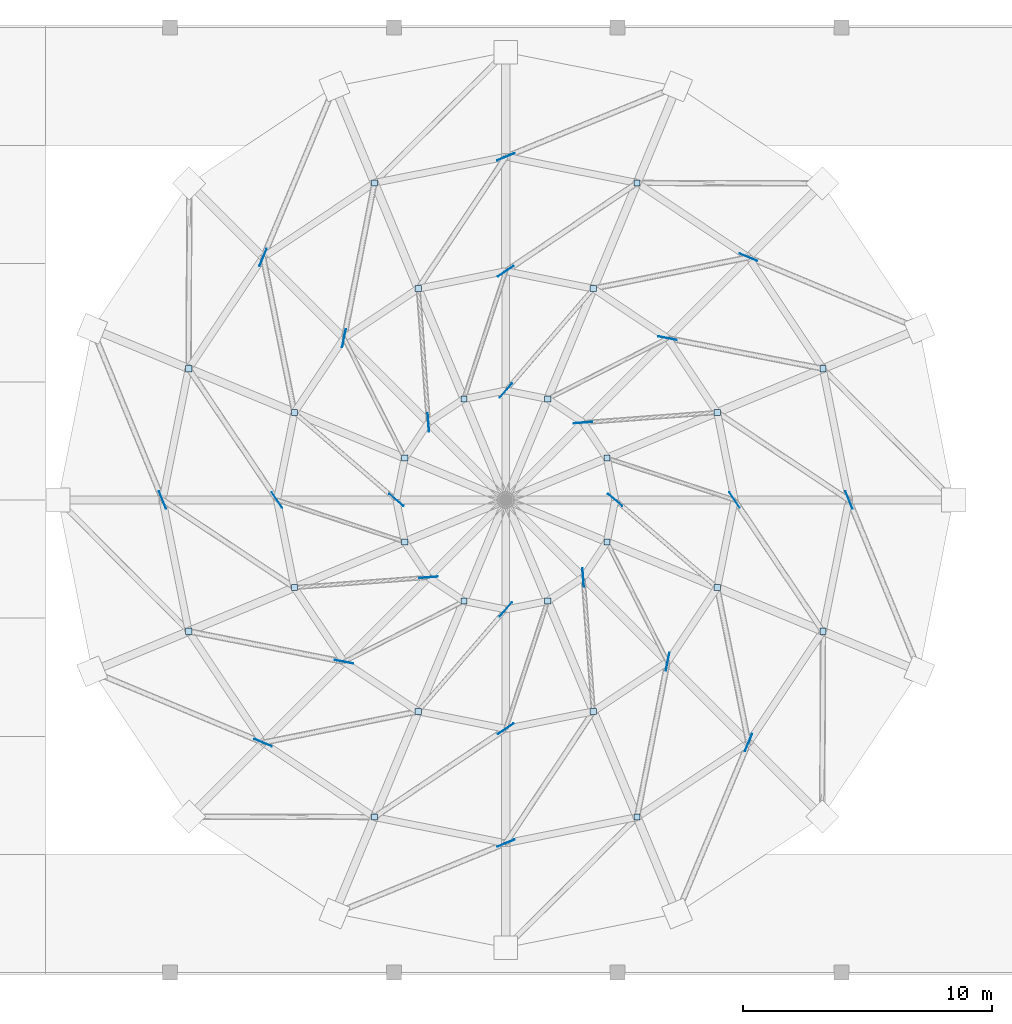
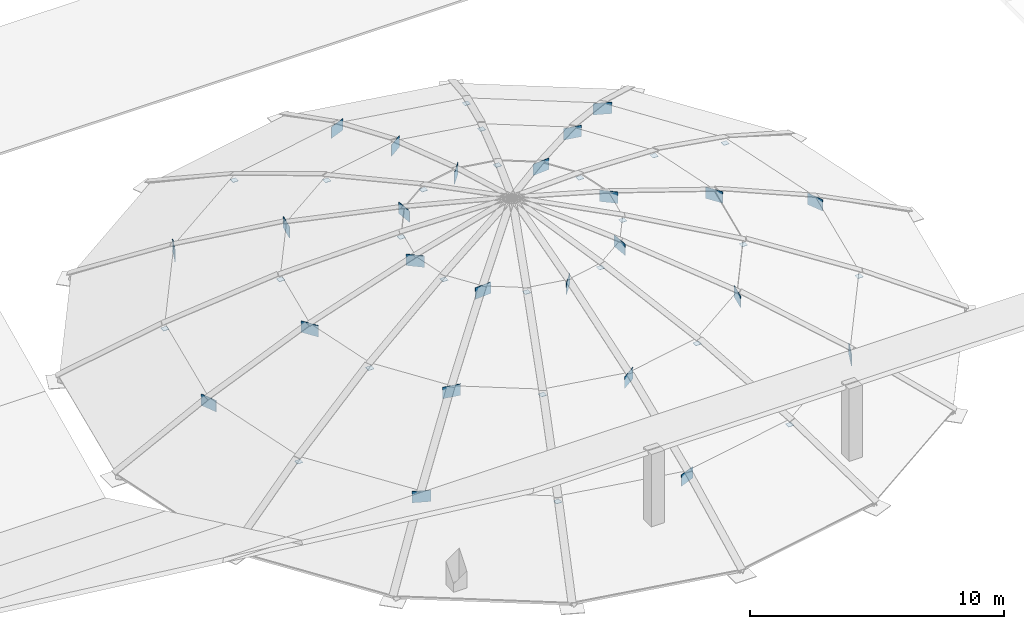
# One storey, part 6 of 7: 48 plates.
"""IFC4 building model written with IfcOpenShell, lengths in metres."""

import ifcopenshell
import ifcopenshell.guid

model = None  # the IFC model being written
_history = None  # IfcOwnerHistory: only IFC2X3 demands one
_inside = {}  # id of a spatial element -> (the spatial element, [elements in it])
_under = {}  # id of a project, library or spatial element -> (it, [spatial elements below it])
_declared = {}  # id of a project -> (the project, [libraries it declares])
_typed = {}  # id of a type object -> (the type object, [elements of that type])
_made_of = {}  # id of a material, layer set ... -> (it, [elements and type objects made of it])


def new_model(schema):
    """Start an empty IFC model of exactly this schema.

    Asked for "IFC4X3", IfcOpenShell would pick the latest addendum, in which some entities
    have other attributes; the version numbers below select the first issue.
    IFC2X3 requires an IfcOwnerHistory on every rooted entity: one is made here for all.
    """
    global model, _history
    if schema == "IFC4X3":
        model = ifcopenshell.file(schema_version=(4, 3, 0, 0))
    else:
        model = ifcopenshell.file(schema=schema)
    _inside.clear()
    _under.clear()
    _declared.clear()
    _typed.clear()
    _made_of.clear()
    _history = None
    if model.schema == "IFC2X3":
        org = make("IfcOrganization", Name="unknown")
        user = make(
            "IfcPersonAndOrganization",
            ThePerson=make("IfcPerson", FamilyName="unknown"),
            TheOrganization=org,
        )
        app = make(
            "IfcApplication",
            ApplicationDeveloper=org,
            Version="unknown",
            ApplicationFullName="unknown",
            ApplicationIdentifier="unknown",
        )
        _history = make(
            "IfcOwnerHistory",
            OwningUser=user,
            OwningApplication=app,
            ChangeAction="ADDED",
            CreationDate=0,
        )
    return model


def make(cls, **values):
    """One entity of the class cls with the attributes given. An attribute that is None is left unset."""
    return model.create_entity(
        cls, **{name: value for name, value in values.items() if value is not None}
    )


def rooted(cls, **values):
    """An entity with a GlobalId (a new one), such as an element, a storey or a relation."""
    return make(cls, GlobalId=ifcopenshell.guid.new(), OwnerHistory=_history, **values)


def si_unit(unit_type, name, prefix=None):
    """IfcSIUnit, for example si_unit("LENGTHUNIT", "METRE", prefix="MILLI")."""
    return make("IfcSIUnit", UnitType=unit_type, Prefix=prefix, Name=name)


def assignment(units):
    """IfcUnitAssignment: the units of a project."""
    return None if units is None else make("IfcUnitAssignment", Units=units)


def point(xyz):
    """IfcCartesianPoint."""
    return None if xyz is None else make("IfcCartesianPoint", Coordinates=xyz)


def direction(xyz):
    """IfcDirection."""
    return None if xyz is None else make("IfcDirection", DirectionRatios=xyz)


def frame(location, z_axis=None, x_axis=None):
    """IfcAxis2Placement3D, a coordinate frame: its origin and axes. An axis left out is left unset."""
    return make(
        "IfcAxis2Placement3D",
        Location=point(location),
        Axis=direction(z_axis),
        RefDirection=direction(x_axis),
    )


def frame_2d(location, x_axis=None):
    """IfcAxis2Placement2D, a coordinate frame in the plane: its origin and x axis."""
    return make(
        "IfcAxis2Placement2D", Location=point(location), RefDirection=direction(x_axis)
    )


def origin():
    """The frame at (0, 0, 0) with its axes left unset."""
    return frame((0.0, 0.0, 0.0))


def origin_2d():
    """The frame at (0, 0) in the plane with its x axis left unset."""
    return frame_2d((0.0, 0.0))


def place(relative_to, where):
    """IfcLocalPlacement: puts the frame where relative to a parent placement (None: the world)."""
    return make(
        "IfcLocalPlacement", PlacementRelTo=relative_to, RelativePlacement=where
    )


def context(
    kind, dimensions, precision=None, world=None, true_north=None, identifier=None
):
    """IfcGeometricRepresentationContext, for example the 3D "Model" context."""
    return make(
        "IfcGeometricRepresentationContext",
        ContextIdentifier=identifier,
        ContextType=kind,
        CoordinateSpaceDimension=dimensions,
        Precision=precision,
        WorldCoordinateSystem=world,
        TrueNorth=true_north,
    )


def subcontext(parent, identifier, kind, view, scale=None):
    """IfcGeometricRepresentationSubContext, for example "Body" below "Model"."""
    return make(
        "IfcGeometricRepresentationSubContext",
        ContextIdentifier=identifier,
        ContextType=kind,
        ParentContext=parent,
        TargetScale=scale,
        TargetView=view,
    )


def project(units=None, contexts=None):
    """IfcProject with its units and contexts."""
    return rooted(
        "IfcProject",
        Name="project",
        RepresentationContexts=contexts,
        UnitsInContext=assignment(units),
    )


def spatial(cls, under=None, at=None, **own):
    """A site, building, storey or space (cls), placed at a placement, below another one or the project."""
    s = rooted(cls, ObjectPlacement=at, **own)
    if under is not None:
        _under.setdefault(under.id(), (under, []))[1].append(s)
    return s


def profile(cls, at=None, kind="AREA", **sizes):
    """A parametric profile (cls). Its sizes go by their IFC names, for example OverallWidth=200.0."""
    return make(cls, ProfileType=kind, Position=at, **sizes)


def rectangle(**sizes):
    """IfcRectangleProfileDef."""
    return profile("IfcRectangleProfileDef", **sizes)


def extrude(swept, where, along, depth):
    """IfcExtrudedAreaSolid: the profile swept, set in the frame where, extruded along a direction by depth."""
    return make(
        "IfcExtrudedAreaSolid",
        SweptArea=swept,
        Position=where,
        ExtrudedDirection=direction(along),
        Depth=depth,
    )


def shape(context_of_items, identifier, shape_type, items):
    """IfcShapeRepresentation: the items that make up one representation, for example the "Body"."""
    return make(
        "IfcShapeRepresentation",
        ContextOfItems=context_of_items,
        RepresentationIdentifier=identifier,
        RepresentationType=shape_type,
        Items=items,
    )


def material(Name=None, Category=None):
    """IfcMaterial."""
    return make("IfcMaterial", Name=Name, Category=Category)


def layer(
    of_material, thickness, ventilated=None, Name=None, Category=None, Priority=None
):
    """IfcMaterialLayer: one layer of a wall or slab, of a material (None: an air gap)."""
    return make(
        "IfcMaterialLayer",
        Material=of_material,
        LayerThickness=thickness,
        IsVentilated=ventilated,
        Name=Name,
        Category=Category,
        Priority=Priority,
    )


def layer_set(layers, Name=None):
    """IfcMaterialLayerSet."""
    return make("IfcMaterialLayerSet", MaterialLayers=layers, LayerSetName=Name)


def made_of(thing, what):
    """Note that an element or type object is made of a material, layer set ...; save() writes the relation."""
    if what is not None:
        _made_of.setdefault(what.id(), (what, []))[1].append(thing)
    return thing


def type_object(cls, material=None, **own):
    """A type object (cls), such as IfcWallType, which elements share."""
    return made_of(rooted(cls, **own), material)


def element(
    cls,
    number,
    at=None,
    inside=None,
    cuts=None,
    type_object=None,
    material=None,
    context=None,
    identifier="Body",
    shape_type=None,
    held_by="IfcProductDefinitionShape",
    body=None,
    shapes=None,
    **own,
):
    """One element of the class cls, such as IfcWall. Its Tag is "e" and its number.

    at: its placement. inside: the storey or other place that contains it. cuts: it is an
    opening in that element (IfcRelVoidsElement). A single representation is given by context,
    identifier, shape_type and body (its items); several are given by shapes. held_by: the class
    of the entity that holds the representations. save() writes the other relations.
    """
    e = rooted(cls, Tag="e%d" % number, ObjectPlacement=at, **own)
    if body is not None:
        shapes = [shape(context, identifier, shape_type, body)]
    if shapes is not None:
        e.Representation = make(held_by, Representations=shapes)
    if inside is not None:
        _inside.setdefault(inside.id(), (inside, []))[1].append(e)
    if cuts is not None:
        rooted(
            "IfcRelVoidsElement", RelatingBuildingElement=cuts, RelatedOpeningElement=e
        )
    if type_object is not None:
        _typed.setdefault(type_object.id(), (type_object, []))[1].append(e)
    return made_of(e, material)


def aggregate(whole, parts):
    """IfcRelAggregates: a whole, such as a stair, and the parts it consists of."""
    return rooted("IfcRelAggregates", RelatingObject=whole, RelatedObjects=parts)


def save(model, path):
    """Write the relations noted so far, then the file.

    IfcRelAggregates (storeys below a building ...), IfcRelContainedInSpatialStructure (elements
    in a storey), IfcRelDefinesByType, IfcRelAssociatesMaterial and IfcRelDeclares: one each for
    every whole, place, type object, material and project.
    """
    for whole, parts in _under.values():
        aggregate(whole, parts)
    for where, things in _inside.values():
        rooted(
            "IfcRelContainedInSpatialStructure",
            RelatedElements=things,
            RelatingStructure=where,
        )
    for kind, things in _typed.values():
        rooted("IfcRelDefinesByType", RelatedObjects=things, RelatingType=kind)
    for what, things in _made_of.values():
        rooted("IfcRelAssociatesMaterial", RelatedObjects=things, RelatingMaterial=what)
    for by, libraries in _declared.values():
        rooted("IfcRelDeclares", RelatingContext=by, RelatedDefinitions=libraries)
    model.write(path)


model = new_model("IFC4")

# Units and contexts
model_context = context("Model", 3, precision=1e-05, world=origin(), true_north=direction((0.0, 1.0)))
body_context = subcontext(model_context, "Body", "Model", "MODEL_VIEW")
ifc_project = project(units=[si_unit("LENGTHUNIT", "METRE"), si_unit("AREAUNIT", "SQUARE_METRE"), si_unit("VOLUMEUNIT", "CUBIC_METRE"), si_unit("PLANEANGLEUNIT", "RADIAN"), si_unit("MASSUNIT", "GRAM", prefix="KILO")], contexts=[model_context])

# Site, building, storey
site_placement = place(None, origin())
site = spatial("IfcSite", under=ifc_project, at=site_placement, CompositionType="ELEMENT")
building_placement = place(site_placement, origin())
building = spatial("IfcBuilding", under=site, at=building_placement, Name="Miravela Opera House", CompositionType="ELEMENT")
storey_placement = place(building_placement, frame((0.0, 0.0, 30.760009765625)))
storey = spatial("IfcBuildingStorey", under=building, at=storey_placement, Name="RF", CompositionType="ELEMENT", Elevation=30.760009765625)

# Plates
ifc_material = material(Name="Structural steel ASTM A572 Gr. 50", Category="steel")
ifc_layer_1 = layer(ifc_material, 0.01611328125)
ifc_layer_set_1 = layer_set([ifc_layer_1])
plate_type_1 = type_object("IfcPlateType", Name="STR-PL-CAP-250X250X16", PredefinedType="SHEET", material=ifc_layer_set_1)
for number, where, z_axis, x_axis, name in (
    (1, (89.24951171875, 61.281005859375, -2.588134765625), (0.0, 0.0, 1.0), (1.0, 0.0, 0.0), "HSS Welded End Cap Plate 046"),
    (2, (81.781005859375, 68.74951171875, -2.588134765625), (0.0, 0.0, 1.0), (1.0, 0.0, 0.0), "HSS Welded End Cap Plate 047"),
    (3, (71.218994140625, 68.74951171875, -2.588134765625), (0.0, 0.0, 1.0), (1.0, 0.0, 0.0), "HSS Welded End Cap Plate 048"),
    (4, (63.75048828125, 61.281005859375, -2.588134765625), (0.0, 0.0, 1.0), (1.0, 0.0, 0.0), "HSS Welded End Cap Plate 049"),
    (5, (63.75048828125, 50.718994140625, -2.588134765625), (0.0, 0.0, 1.0), (1.0, 0.0, 0.0), "HSS Welded End Cap Plate 050"),
    (6, (71.218994140625, 43.25048828125, -2.588134765625), (0.0, 0.0, 1.0), (1.0, 0.0, 0.0), "HSS Welded End Cap Plate 051"),
    (7, (81.781005859375, 43.25048828125, -2.588134765625), (0.0, 0.0, 1.0), (1.0, 0.0, 0.0), "HSS Welded End Cap Plate 052"),
    (8, (89.24951171875, 50.718994140625, -2.588134765625), (0.0, 0.0, 1.0), (1.0, 0.0, 0.0), "HSS Welded End Cap Plate 053"),
    (9, (84.999755859375, 59.520751953125, -0.63818359375), (0.0, 0.0, 1.0), (1.0, 0.0, 0.0), "HSS Welded End Cap Plate 054"),
    (10, (80.020751953125, 64.499755859375, -0.63818359375), (0.0, 0.0, 1.0), (1.0, 0.0, 0.0), "HSS Welded End Cap Plate 055"),
    (11, (72.979248046875, 64.499755859375, -0.63818359375), (0.0, 0.0, 1.0), (1.0, 0.0, 0.0), "HSS Welded End Cap Plate 056"),
    (12, (68.000244140625, 59.520751953125, -0.63818359375), (0.0, 0.0, 1.0), (1.0, 0.0, 0.0), "HSS Welded End Cap Plate 057"),
    (13, (68.000244140625, 52.479248046875, -0.63818359375), (0.0, 0.0, 1.0), (1.0, 0.0, 0.0), "HSS Welded End Cap Plate 058"),
    (14, (72.979248046875, 47.500244140625, -0.63818359375), (0.0, 0.0, 1.0), (1.0, 0.0, 0.0), "HSS Welded End Cap Plate 059"),
    (15, (80.020751953125, 47.500244140625, -0.63818359375), (0.0, 0.0, 1.0), (1.0, 0.0, 0.0), "HSS Welded End Cap Plate 060"),
    (16, (84.999755859375, 52.479248046875, -0.63818359375), (0.0, 0.0, 1.0), (1.0, 0.0, 0.0), "HSS Welded End Cap Plate 061"),
    (17, (80.565185546875, 57.683837890625, 0.9619140625), (0.0, 0.0, 1.0), (1.0, 0.0, 0.0), "HSS Welded End Cap Plate 062"),
    (18, (78.183837890625, 60.065185546875, 0.9619140625), (0.0, 0.0, 1.0), (1.0, 0.0, 0.0), "HSS Welded End Cap Plate 063"),
    (19, (74.816162109375, 60.065185546875, 0.9619140625), (0.0, 0.0, 1.0), (1.0, 0.0, 0.0), "HSS Welded End Cap Plate 064"),
    (20, (72.434814453125, 57.683837890625, 0.9619140625), (0.0, 0.0, 1.0), (1.0, 0.0, 0.0), "HSS Welded End Cap Plate 065"),
    (21, (72.434814453125, 54.316162109375, 0.9619140625), (0.0, 0.0, 1.0), (1.0, 0.0, 0.0), "HSS Welded End Cap Plate 066"),
    (22, (74.816162109375, 51.934814453125, 0.9619140625), (0.0, 0.0, 1.0), (1.0, 0.0, 0.0), "HSS Welded End Cap Plate 067"),
    (23, (78.183837890625, 51.934814453125, 0.9619140625), (0.0, 0.0, 1.0), (1.0, 0.0, 0.0), "HSS Welded End Cap Plate 068"),
    (24, (80.565185546875, 54.316162109375, 0.9619140625), (0.0, 0.0, 1.0), (1.0, 0.0, 0.0), "HSS Welded End Cap Plate 069"),
):
    element("IfcPlate", number, at=place(storey_placement, frame(where, z_axis=z_axis, x_axis=x_axis)), inside=storey, type_object=plate_type_1, Name=name, PredefinedType="SHEET", context=body_context, shape_type="SweptSolid", body=[
        extrude(rectangle(XDim=0.25, YDim=0.25, at=origin_2d()), origin(), (0.0, 0.0, 1.0), 0.01611328125),
    ])
ifc_layer_2 = layer(ifc_material, 0.02001953125)
ifc_layer_set_2 = layer_set([ifc_layer_2])
plate_type_2 = type_object("IfcPlateType", Name="STR-PL-GUS-750X550X20", PredefinedType="USERDEFINED", material=ifc_layer_set_2)
for number, where, z_axis, x_axis, name in (
    (25, (86.258056640625, 65.758056640625, -2.85498046875), (0.0, 0.0, 1.0), (-0.922740022919, 0.385422949633, 0.0), "Brace Node Gusset Plate 413"),
    (26, (76.5, 69.800048828125, -2.85498046875), (0.0, 0.0, 1.0), (0.925010908789, 0.379940546168, 0.0), "Brace Node Gusset Plate 414"),
    (27, (66.741943359375, 65.758056640625, -2.85498046875), (0.0, 0.0, 1.0), (0.385422949633, 0.922740022919, 0.0), "Brace Node Gusset Plate 415"),
    (28, (62.699951171875, 56.0, -2.85498046875), (0.0, 0.0, 1.0), (-0.379940546168, 0.925010908789, 0.0), "Brace Node Gusset Plate 416"),
    (29, (66.741943359375, 46.241943359375, -2.85498046875), (0.0, 0.0, 1.0), (-0.922740022919, 0.385422949633, 0.0), "Brace Node Gusset Plate 417"),
    (30, (76.5, 42.199951171875, -2.85498046875), (0.0, 0.0, 1.0), (0.925010908789, 0.379940546168, 0.0), "Brace Node Gusset Plate 418"),
    (31, (86.258056640625, 46.241943359375, -2.85498046875), (0.0, 0.0, 1.0), (0.385422949633, 0.922740022919, 0.0), "Brace Node Gusset Plate 419"),
    (32, (90.300048828125, 56.0, -2.85498046875), (0.0, 0.0, 1.0), (-0.379940546168, 0.925010908789, 0.0), "Brace Node Gusset Plate 420"),
    (33, (83.00537109375, 62.50537109375, -0.9052734375), (0.0, 0.0, 1.0), (-0.981326250468, 0.192350695715, 0.0), "Brace Node Gusset Plate 421"),
    (34, (76.5, 65.199951171875, -0.9052734375), (0.0, 0.0, 1.0), (0.829914927569, 0.557889964956, 0.0), "Brace Node Gusset Plate 422"),
    (35, (69.99462890625, 62.50537109375, -0.9052734375), (0.0, 0.0, 1.0), (0.192350695715, 0.981326250468, 0.0), "Brace Node Gusset Plate 423"),
    (36, (67.300048828125, 56.0, -0.9052734375), (0.0, 0.0, 1.0), (-0.557889964956, 0.829914927569, 0.0), "Brace Node Gusset Plate 424"),
    (37, (69.99462890625, 49.49462890625, -0.9052734375), (0.0, 0.0, 1.0), (-0.981326250468, 0.192350695715, 0.0), "Brace Node Gusset Plate 425"),
    (38, (76.5, 46.800048828125, -0.9052734375), (0.0, 0.0, 1.0), (0.829914927569, 0.557889964956, 0.0), "Brace Node Gusset Plate 426"),
    (39, (83.00537109375, 49.49462890625, -0.9052734375), (0.0, 0.0, 1.0), (0.192350695715, 0.981326250468, 0.0), "Brace Node Gusset Plate 427"),
    (40, (85.699951171875, 56.0, -0.9052734375), (0.0, 0.0, 1.0), (-0.557889964956, 0.829914927569, 0.0), "Brace Node Gusset Plate 428"),
    (41, (79.611328125, 59.111328125, 0.69482421875), (0.0, 0.0, 1.0), (0.997132545495, 0.075674875051, 0.0), "Brace Node Gusset Plate 429"),
    (42, (76.5, 60.39990234375, 0.69482421875), (0.0, 0.0, 1.0), (0.651436558597, 0.758703110659, 0.0), "Brace Node Gusset Plate 430"),
    (43, (73.388671875, 59.111328125, 0.69482421875), (0.0, 0.0, 1.0), (-0.075674875051, 0.997132545495, 0.0), "Brace Node Gusset Plate 431"),
    (44, (72.10009765625, 56.0, 0.69482421875), (0.0, 0.0, 1.0), (-0.758703110659, 0.651436558597, 0.0), "Brace Node Gusset Plate 432"),
    (45, (73.388671875, 52.888671875, 0.69482421875), (0.0, 0.0, 1.0), (0.997132545495, 0.075674875051, 0.0), "Brace Node Gusset Plate 433"),
    (46, (76.5, 51.60009765625, 0.69482421875), (0.0, 0.0, 1.0), (0.651436558597, 0.758703110659, 0.0), "Brace Node Gusset Plate 434"),
    (47, (79.611328125, 52.888671875, 0.69482421875), (0.0, 0.0, 1.0), (-0.075674875051, 0.997132545495, 0.0), "Brace Node Gusset Plate 435"),
    (48, (80.89990234375, 56.0, 0.69482421875), (0.0, 0.0, 1.0), (-0.758703110659, 0.651436558597, 0.0), "Brace Node Gusset Plate 436"),
):
    element("IfcPlate", number, at=place(storey_placement, frame(where, z_axis=z_axis, x_axis=x_axis)), inside=storey, type_object=plate_type_2, Name=name, ObjectType="GUSSET PLATE", PredefinedType="USERDEFINED", context=body_context, shape_type="SweptSolid", body=[
        extrude(rectangle(XDim=0.75, YDim=0.02001953125, at=origin_2d()), origin(), (0.0, 0.0, 1.0), 0.550048828125),
    ])

save(model, "model.ifc")
